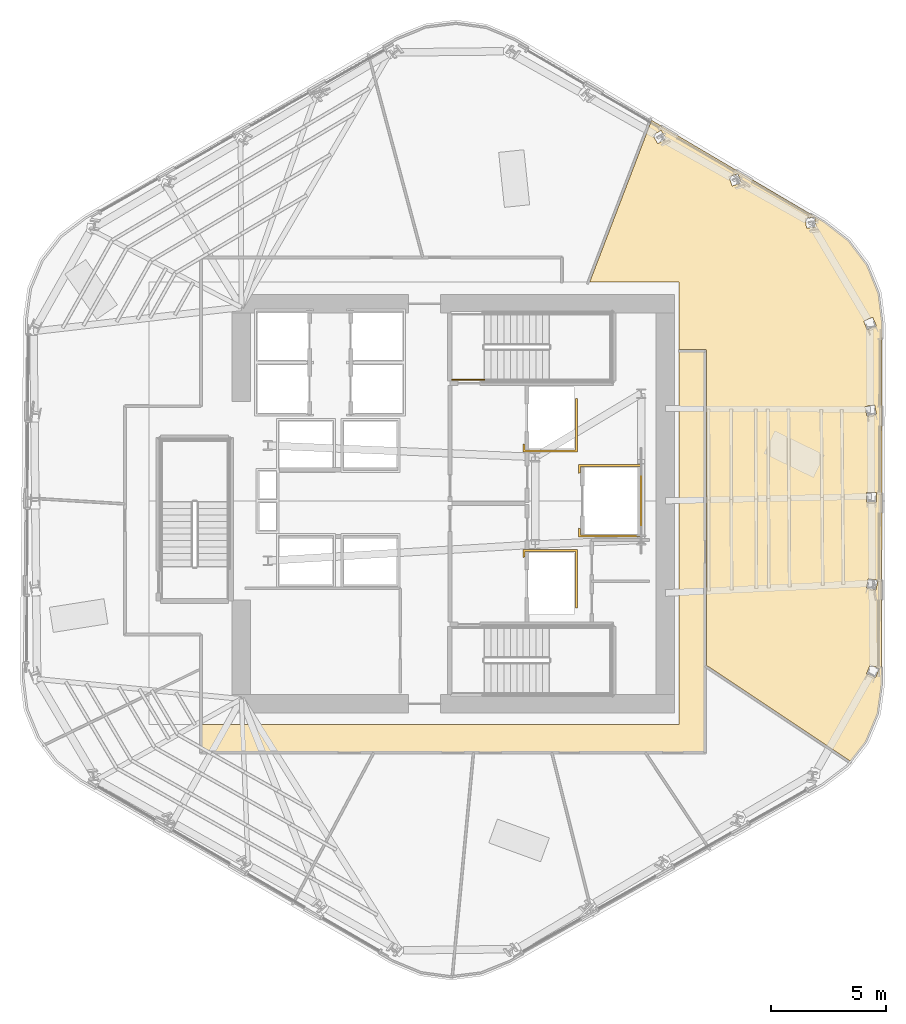
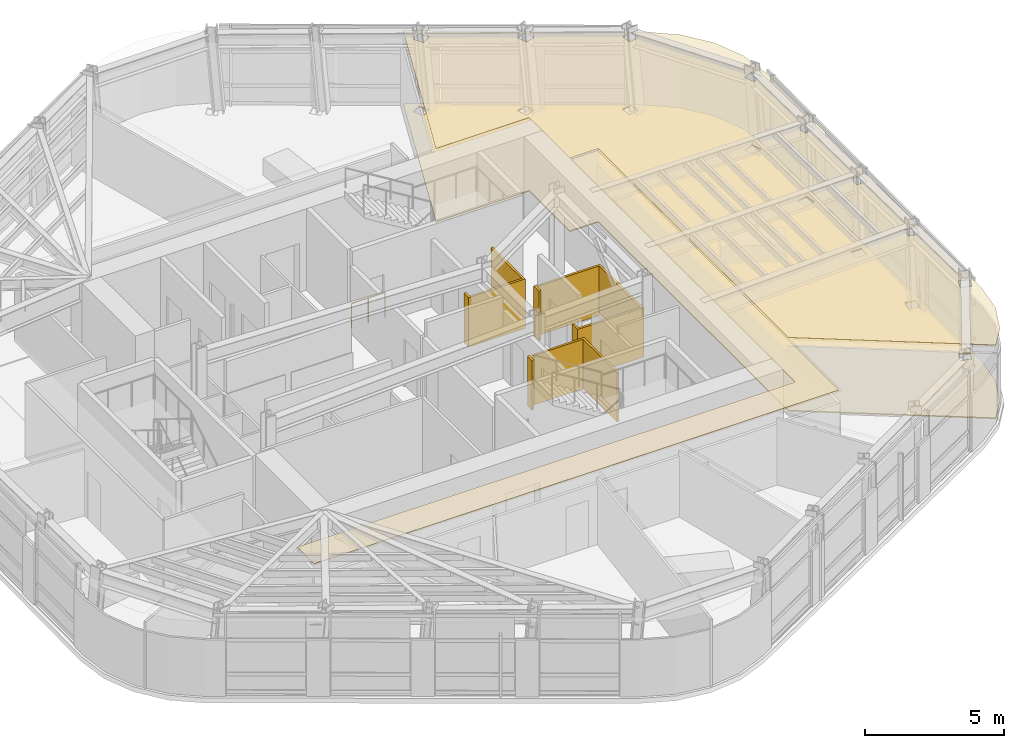
# One storey, part 13 of 16: 6 coverings, 1 railing.
"""IFC4 building model written with IfcOpenShell, lengths in metres."""

from ifc_helpers import new_model, si_unit, direction, frame, origin, origin_2d, place, context, subcontext, project, spatial, polyline, circle, outline, extrude, material, layer, layer_set, type_object, element, save


model = new_model("IFC4")

# Units and contexts
model_context = context("Model", 3, precision=1e-05, world=origin(), true_north=direction((0.0, 1.0)))
body_context = subcontext(model_context, "Body", "Model", "MODEL_VIEW")
ifc_project = project(units=[si_unit("LENGTHUNIT", "METRE"), si_unit("AREAUNIT", "SQUARE_METRE"), si_unit("VOLUMEUNIT", "CUBIC_METRE"), si_unit("PLANEANGLEUNIT", "RADIAN"), si_unit("MASSUNIT", "GRAM", prefix="KILO")], contexts=[model_context])

# Site, building, storey
site_placement = place(None, origin())
site = spatial("IfcSite", under=ifc_project, at=site_placement, CompositionType="ELEMENT")
building_placement = place(site_placement, origin())
building = spatial("IfcBuilding", under=site, at=building_placement, Name="Valkerne Bourse Tower", CompositionType="ELEMENT")
storey_placement = place(building_placement, frame((0.0, 0.0, 151.39990234375)))
storey = spatial("IfcBuildingStorey", under=building, at=storey_placement, Name="L38", CompositionType="ELEMENT", Elevation=151.39990234375)

# Coverings
ifc_material_1 = material(Name="Mineral Fiber Acoustic Ceiling Tile", Category="acoustic")
ifc_layer_1 = layer(ifc_material_1, 0.02490234375)
ifc_layer_set_1 = layer_set([ifc_layer_1], Name="Mineral Fiber Acoustic Ceiling Tile")
covering_type_1 = type_object("IfcCoveringType", Name="COV-CEIL-ACT", PredefinedType="CEILING", material=ifc_layer_set_1)
covering_1_placement = place(storey_placement, frame((0.0, 0.0, 3.22998046875)))
element("IfcCovering", 1, at=covering_1_placement, inside=storey, type_object=covering_type_1, Name="L38 Suspended Ceiling 12", PredefinedType="CEILING", context=body_context, shape_type="SweptSolid", body=[
    extrude(outline(polyline([(64.03125, 15.697021484375), (57.7890625, 19.85302734375), (57.785400390625, 33.522705078125), (57.76171875, 33.555419921875), (57.723388671875, 33.56884765625), (56.60009765625, 33.569091796875), (56.60009765625, 36.5), (52.71826171875, 36.5), (55.40087890625, 43.51220703125), (62.889404296875, 39.09716796875), (63.939697265625, 38.282470703125), (64.737548828125, 37.231201171875), (65.236083984375, 36.009521484375), (65.402587890625, 34.690673828125), (65.381591796875, 19.0791015625), (65.201171875, 17.762451171875), (64.689697265625, 16.546142578125), (64.03125, 15.697021484375)]), holes=[polyline([(65.2802734375, 19.716796875), (64.888671875, 19.880859375), (64.72900390625, 19.499755859375), (64.72802734375, 19.497314453125), (65.11962890625, 19.333251953125), (65.279296875, 19.714111328125), (65.2802734375, 19.716796875)]), polyline([(65.223876953125, 23.53759765625), (64.808349609375, 23.625), (64.72314453125, 23.220703125), (64.72265625, 23.218017578125), (65.13818359375, 23.130615234375), (65.223388671875, 23.534912109375), (65.223876953125, 23.53759765625)]), polyline([(65.155029296875, 27.353515625), (65.155029296875, 27.356201171875), (64.73046875, 27.357177734375), (64.7294921875, 26.94384765625), (64.7294921875, 26.941162109375), (65.154052734375, 26.940185546875), (65.155029296875, 27.353515625)]), polyline([(65.1611328125, 30.758544921875), (65.078125, 31.1630859375), (65.07763671875, 31.166015625), (64.66162109375, 31.08056640625), (64.74462890625, 30.67578125), (64.7451171875, 30.673095703125), (65.1611328125, 30.758544921875)]), polyline([(65.15625, 34.5791015625), (64.99853515625, 34.9609375), (64.99755859375, 34.96337890625), (64.60498046875, 34.801513671875), (64.762451171875, 34.419677734375), (64.763671875, 34.4169921875), (65.15625, 34.5791015625)]), polyline([(62.537353515625, 38.884033203125), (62.484375, 39.30419921875), (62.482421875, 39.306396484375), (62.072021484375, 39.25341796875), (62.125, 38.833251953125), (62.126708984375, 38.8310546875), (62.537353515625, 38.884033203125)]), polyline([(59.155517578125, 41.1923828125), (59.153564453125, 41.1943359375), (58.76025390625, 41.065185546875), (58.891357421875, 40.662109375), (58.893310546875, 40.660400390625), (59.286865234375, 40.789794921875), (59.155517578125, 41.1923828125)]), polyline([(56.0283203125, 42.704833984375), (55.81787109375, 43.072509765625), (55.8154296875, 43.073974609375), (55.45654296875, 42.8671875), (55.6669921875, 42.49951171875), (55.66943359375, 42.498291015625), (56.0283203125, 42.704833984375)])]), origin(), (0.0, 0.0, 1.0), 0.025146484375),
])
ifc_material_2 = material(Name="Bronze Anodised Aluminium AA 6063-T6", Category="aluminium")
ifc_layer_2 = layer(ifc_material_2, 0.030029296875)
ifc_layer_set_2 = layer_set([ifc_layer_2], Name="Bronze Anodised Aluminium AA 6063-T6")
covering_type_2 = type_object("IfcCoveringType", Name="COV-CEIL-METAL", PredefinedType="CEILING", material=ifc_layer_set_2)
covering_2_placement = place(storey_placement, frame((0.0, 0.0, 3.22998046875)))
element("IfcCovering", 2, at=covering_2_placement, inside=storey, type_object=covering_type_2, Name="L38 Suspended Ceiling 01", PredefinedType="CEILING", context=body_context, shape_type="SweptSolid", body=[
    extrude(outline(polyline([(35.85400390625, 17.300048828125), (56.60009765625, 17.300048828125), (56.60009765625, 33.49609375), (57.716064453125, 33.49609375), (57.716064453125, 16.083984375), (35.85400390625, 16.083984375), (35.85400390625, 17.300048828125)])), origin(), (0.0, 0.0, 1.0), 0.025146484375),
])
ifc_material_3 = material(Name="Galvanised Painted Steel", Category="steel")
ifc_layer_3 = layer(ifc_material_3, 0.044921875)
ifc_layer_set_3 = layer_set([ifc_layer_3], Name="Galvanised Painted Steel")
covering_type_3 = type_object("IfcCoveringType", Name="COV-FLR-RAF", PredefinedType="FLOORING", material=ifc_layer_set_3)
covering_3_placement = place(storey_placement, origin())
element("IfcCovering", 3, at=covering_3_placement, inside=storey, type_object=covering_type_3, Name="L38 Floor Finish 12", PredefinedType="FLOORING", context=body_context, shape_type="SweptSolid", body=[
    extrude(outline(polyline([(64.03125, 15.697021484375), (57.7890625, 19.85302734375), (57.785400390625, 33.522705078125), (57.76171875, 33.555419921875), (57.723388671875, 33.56884765625), (56.60009765625, 33.569091796875), (56.60009765625, 36.5), (52.71826171875, 36.5), (55.40087890625, 43.51220703125), (62.889404296875, 39.09716796875), (63.939697265625, 38.282470703125), (64.737548828125, 37.231201171875), (65.236083984375, 36.009521484375), (65.402587890625, 34.690673828125), (65.381591796875, 19.0791015625), (65.201171875, 17.762451171875), (64.689697265625, 16.546142578125), (64.03125, 15.697021484375)]), holes=[polyline([(65.2802734375, 19.716796875), (64.888671875, 19.880859375), (64.72900390625, 19.499755859375), (64.72802734375, 19.497314453125), (65.11962890625, 19.333251953125), (65.279296875, 19.714111328125), (65.2802734375, 19.716796875)]), polyline([(65.223876953125, 23.53759765625), (64.808349609375, 23.625), (64.72314453125, 23.220703125), (64.72265625, 23.218017578125), (65.13818359375, 23.130615234375), (65.223388671875, 23.534912109375), (65.223876953125, 23.53759765625)]), polyline([(65.155029296875, 27.353515625), (65.155029296875, 27.356201171875), (64.73046875, 27.357177734375), (64.7294921875, 26.94384765625), (64.7294921875, 26.941162109375), (65.154052734375, 26.940185546875), (65.155029296875, 27.353515625)]), polyline([(65.1611328125, 30.758544921875), (65.078125, 31.1630859375), (65.07763671875, 31.166015625), (64.66162109375, 31.08056640625), (64.74462890625, 30.67578125), (64.7451171875, 30.673095703125), (65.1611328125, 30.758544921875)]), polyline([(65.15625, 34.5791015625), (64.99853515625, 34.9609375), (64.99755859375, 34.96337890625), (64.60498046875, 34.801513671875), (64.762451171875, 34.419677734375), (64.763671875, 34.4169921875), (65.15625, 34.5791015625)]), polyline([(62.537353515625, 38.884033203125), (62.484375, 39.30419921875), (62.482421875, 39.306396484375), (62.072021484375, 39.25341796875), (62.125, 38.833251953125), (62.126708984375, 38.8310546875), (62.537353515625, 38.884033203125)]), polyline([(59.155517578125, 41.1923828125), (59.153564453125, 41.1943359375), (58.76025390625, 41.065185546875), (58.891357421875, 40.662109375), (58.893310546875, 40.660400390625), (59.286865234375, 40.789794921875), (59.155517578125, 41.1923828125)]), polyline([(56.0283203125, 42.704833984375), (55.81787109375, 43.072509765625), (55.8154296875, 43.073974609375), (55.45654296875, 42.8671875), (55.6669921875, 42.49951171875), (55.66943359375, 42.498291015625), (56.0283203125, 42.704833984375)])]), origin(), (0.0, 0.0, 1.0), 0.045166015625),
])
ifc_material_4 = material(Name="Gypsum Shaftwall Liner Board", Category="gypsum")
ifc_layer_4 = layer(ifc_material_4, 0.080078125)
ifc_layer_set_4 = layer_set([ifc_layer_4], Name="Gypsum Shaftwall Liner Board")
covering_type_4 = type_object("IfcCoveringType", Name="COV-SHF-CLAD", PredefinedType="CLADDING", material=ifc_layer_set_4)
covering_4_placement = place(storey_placement, origin())
element("IfcCovering", 4, at=covering_4_placement, inside=storey, type_object=covering_type_4, Name="L38 Hoistway & Riser Shaftwall Liner 05", PredefinedType="CLADDING", context=body_context, shape_type="SweptSolid", body=[
    extrude(outline(polyline([(52.179931640625, 22.35009765625), (52.090087890625, 22.35009765625), (52.090087890625, 24.7900390625), (49.909912109375, 24.7900390625), (49.909912109375, 24.560791015625), (49.869384765625, 24.550537109375), (49.827880859375, 24.53564453125), (49.820068359375, 24.531982421875), (49.820068359375, 24.8798828125), (52.179931640625, 24.8798828125), (52.179931640625, 22.35009765625)])), origin(), (0.0, 0.0, 1.0), 2.18017578125),
])
covering_5_placement = place(storey_placement, origin())
element("IfcCovering", 5, at=covering_5_placement, inside=storey, type_object=covering_type_4, Name="L38 Hoistway & Riser Shaftwall Liner 06", PredefinedType="CLADDING", context=body_context, shape_type="SweptSolid", body=[
    extrude(outline(polyline([(54.97998046875, 25.419921875), (52.219970703125, 25.419921875), (52.219970703125, 25.81787109375), (52.227783203125, 25.814208984375), (52.269287109375, 25.79931640625), (52.31005859375, 25.789306640625), (52.31005859375, 25.510009765625), (54.889892578125, 25.510009765625), (54.889892578125, 28.489990234375), (52.31005859375, 28.489990234375), (52.31005859375, 28.210693359375), (52.269287109375, 28.20068359375), (52.227783203125, 28.185791015625), (52.219970703125, 28.18212890625), (52.219970703125, 28.580078125), (54.97998046875, 28.580078125), (54.97998046875, 25.419921875)])), origin(), (0.0, 0.0, 1.0), 2.18017578125),
])
covering_6_placement = place(storey_placement, origin())
element("IfcCovering", 6, at=covering_6_placement, inside=storey, type_object=covering_type_4, Name="L38 Hoistway & Riser Shaftwall Liner 08", PredefinedType="CLADDING", context=body_context, shape_type="SweptSolid", body=[
    extrude(outline(polyline([(49.820068359375, 29.1201171875), (49.820068359375, 29.468017578125), (49.827880859375, 29.46435546875), (49.869384765625, 29.449462890625), (49.909912109375, 29.439208984375), (49.909912109375, 29.2099609375), (52.090087890625, 29.2099609375), (52.090087890625, 31.449951171875), (52.179931640625, 31.449951171875), (52.179931640625, 29.1201171875), (49.820068359375, 29.1201171875)])), origin(), (0.0, 0.0, 1.0), 2.18017578125),
])

# Railing
railing_type = type_object("IfcRailingType", Name="RLG-ST-GUARD-1120", PredefinedType="GUARDRAIL", material=ifc_material_3)
railing_placement = place(storey_placement, frame((46.75, 32.25, 0.0)))
element("IfcRailing", 7, at=railing_placement, inside=storey, type_object=railing_type, Name="L38 ST-2 stair guard 8", PredefinedType="GUARDRAIL", context=body_context, shape_type="SweptSolid", body=[
    extrude(circle(Radius=0.02392578125, at=origin_2d()), frame((0.0, 0.0, 1.09619140625), z_axis=(1.0, 0.0, 0.0), x_axis=(0.0, 1.0, 0.0)), (0.0, 0.0, 1.0), 1.39990234375),
    extrude(circle(Radius=0.02099609375, at=origin_2d()), origin(), (0.0, 0.0, 1.0), 1.072021484375),
    extrude(circle(Radius=0.02099609375, at=origin_2d()), frame((0.699951171875, 0.0, 0.0)), (0.0, 0.0, 1.0), 1.072021484375),
    extrude(circle(Radius=0.02099609375, at=origin_2d()), frame((1.39990234375, 0.0, 0.0)), (0.0, 0.0, 1.0), 1.072021484375),
])

save(model, "model.ifc")
